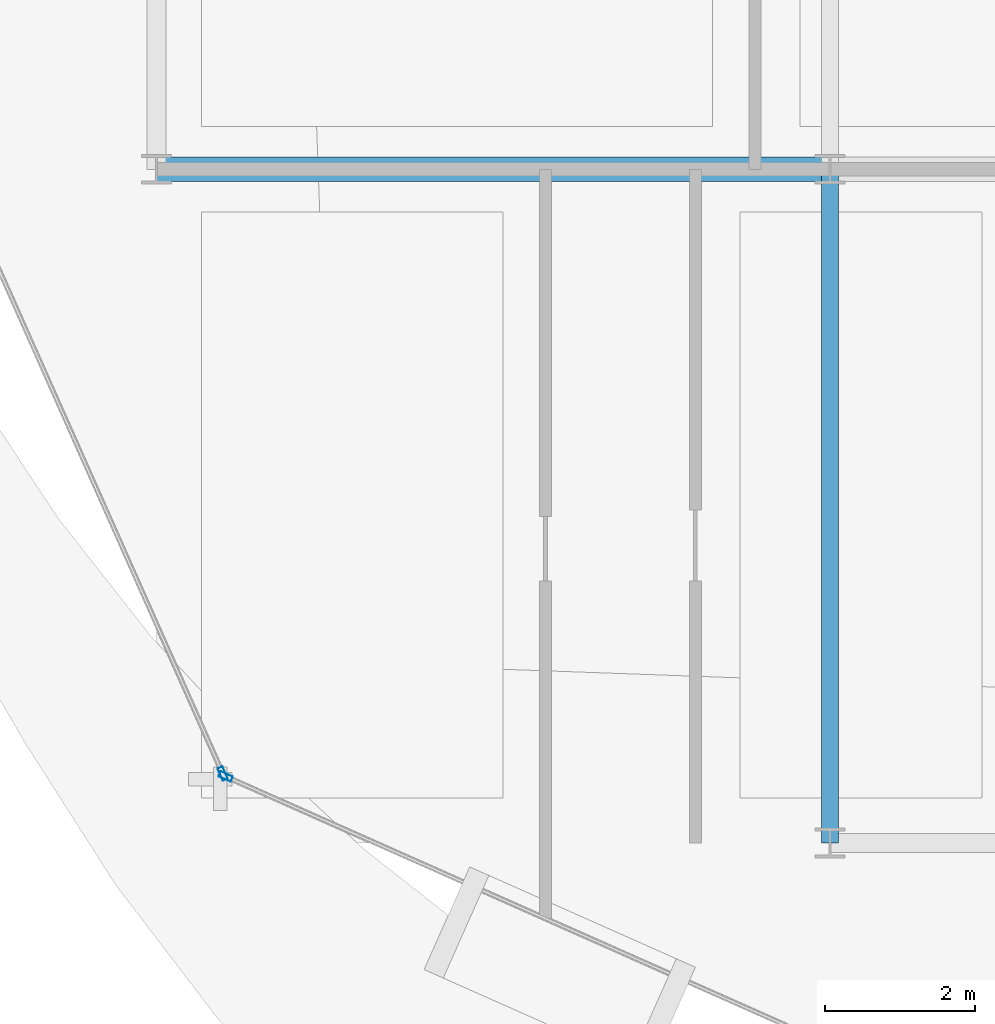
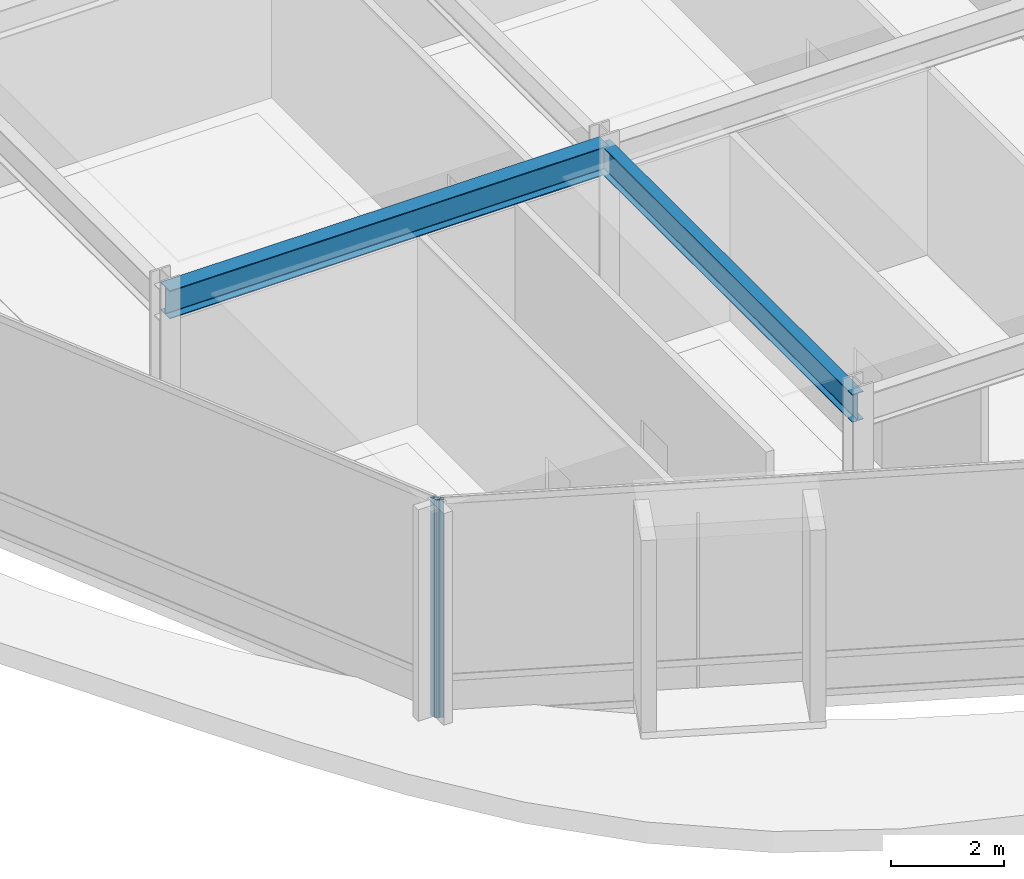
# One storey, part 2 of 28: 2 beams, 2 members, 2 elements without a shape of their own.
"""IFC4 building model written with IfcOpenShell, lengths in metres."""

from ifc_helpers import new_model, si_unit, direction, frame, origin, origin_2d, place, context, subcontext, project, spatial, hollow_rectangle, i_section, extrude, material, layer, layer_set, material_profile, profile_set, type_object, element, aggregate, save


model = new_model("IFC4")

# Units and contexts
model_context = context("Model", 3, precision=1e-05, world=origin(), true_north=direction((0.0, 1.0)))
body_context = subcontext(model_context, "Body", "Model", "MODEL_VIEW")
ifc_project = project(units=[si_unit("LENGTHUNIT", "METRE"), si_unit("AREAUNIT", "SQUARE_METRE"), si_unit("VOLUMEUNIT", "CUBIC_METRE"), si_unit("PLANEANGLEUNIT", "RADIAN"), si_unit("MASSUNIT", "GRAM", prefix="KILO")], contexts=[model_context])

# Site, building, storey
site_placement = place(None, origin())
site = spatial("IfcSite", under=ifc_project, at=site_placement, CompositionType="ELEMENT")
building_placement = place(site_placement, origin())
building = spatial("IfcBuilding", under=site, at=building_placement, Name="Solvaryn Broadcast Tower", CompositionType="ELEMENT")
storey_placement = place(building_placement, frame((0.0, 0.0, 201.199951171875)))
storey = spatial("IfcBuildingStorey", under=building, at=storey_placement, Name="L50", CompositionType="ELEMENT", Elevation=201.199951171875)

# Beams
ifc_material_1 = material(Name="Steel ASTM A992 Grade 50", Category="steel")
ifc_material_profile_1 = material_profile(ifc_material_1, i_section(OverallWidth=0.323974609375, OverallDepth=0.611083984375, WebThickness=0.0126953125, FlangeThickness=0.01904296875, FilletRadius=0.014892578125, at=origin_2d()))
ifc_profile_set_1 = profile_set([ifc_material_profile_1], Name="Steel ASTM A992 Grade 50")
beam_type_1 = type_object("IfcBeamType", Name="BM-B1-W24X104", PredefinedType="BEAM", material=ifc_profile_set_1)
beam_1_placement = place(storey_placement, frame((9.0, 18.0, 4.41455078125), z_axis=(1.0, 0.0, 0.0), x_axis=(0.0, 1.0, 0.0)))
element("IfcBeam", 1, at=beam_1_placement, inside=storey, type_object=beam_type_1, Name="L50 Primary Beam X (9-18 @ Y=18)", PredefinedType="BEAM", context=body_context, shape_type="SweptSolid", body=[
    extrude(i_section(OverallWidth=0.323974609375, OverallDepth=0.611083984375, WebThickness=0.0126953125, FlangeThickness=0.01904296875, FilletRadius=0.014892578125, at=origin_2d()), origin(), (0.0, 0.0, 1.0), 9.0),
])
ifc_material_2 = material(Name="Steel ASTM A992 Grade 50", Category="steel")
ifc_material_profile_2 = material_profile(ifc_material_2, i_section(OverallWidth=0.22802734375, OverallDepth=0.60791015625, WebThickness=0.01123046875, FlangeThickness=0.017333984375, FilletRadius=0.014892578125, at=origin_2d()))
ifc_profile_set_2 = profile_set([ifc_material_profile_2], Name="Steel ASTM A992 Grade 50")
beam_type_2 = type_object("IfcBeamType", Name="BM-B2-W24X76", PredefinedType="BEAM", material=ifc_profile_set_2)
beam_2_placement = place(storey_placement, frame((18.0, 9.0, 4.416015625), z_axis=(0.0, 1.0, 0.0), x_axis=(-1.0, 0.0, 0.0)))
element("IfcBeam", 2, at=beam_2_placement, inside=storey, type_object=beam_type_2, Name="L50 Primary Beam Y (9-18 @ X=18)", PredefinedType="BEAM", context=body_context, shape_type="SweptSolid", body=[
    extrude(i_section(OverallWidth=0.22802734375, OverallDepth=0.60791015625, WebThickness=0.01123046875, FlangeThickness=0.017333984375, FilletRadius=0.014892578125, at=origin_2d()), origin(), (0.0, 0.0, 1.0), 9.0),
])

# Curtain wall, member
ifc_material_3 = material(Name="Aluminium and Terracotta Unitised Curtain Wall", Category="masonry")
ifc_layer = layer(ifc_material_3, 0.199951171875)
ifc_layer_set = layer_set([ifc_layer], Name="CW-SYS2-LOWMID")
curtain_wall_type = type_object("IfcCurtainWallType", Name="CW-SYS2-LOWMID", PredefinedType="NOTDEFINED", material=ifc_layer_set)
curtain_wall_1_placement = place(storey_placement, origin())
curtain_wall_1 = element("IfcCurtainWall", 3, at=curtain_wall_1_placement, inside=storey, type_object=curtain_wall_type, Name="L50 Curtain Wall DR2", PredefinedType="NOTDEFINED")
ifc_material_4 = material(Name="Anodised Aluminium 6063-T6", Category="aluminium")
ifc_material_profile_3 = material_profile(ifc_material_4, hollow_rectangle(XDim=0.074951171875, YDim=0.179931640625, WallThickness=0.00390625, InnerFilletRadius=0.00390625, OuterFilletRadius=0.008056640625, at=origin_2d()))
ifc_profile_set_3 = profile_set([ifc_material_profile_3], Name="Anodised Aluminium 6063-T6")
member_type = type_object("IfcMemberType", Name="CW-MUL-180", PredefinedType="MULLION", material=ifc_profile_set_3)
member_1_placement = place(storey_placement, frame((9.8857421875, 9.925537109375, 0.0), z_axis=(0.0, 0.0, 1.0), x_axis=(0.913916902365, 0.405901337237, 0.0)))
member_1 = element("IfcMember", 4, at=member_1_placement, type_object=member_type, Name="CWS2 mullion 2", PredefinedType="MULLION", context=body_context, shape_type="SweptSolid", body=[
    extrude(hollow_rectangle(XDim=0.074951171875, YDim=0.179931640625, WallThickness=0.00390625, InnerFilletRadius=0.00390625, OuterFilletRadius=0.008056640625, at=origin_2d()), origin(), (0.0, 0.0, 1.0), 4.719970703125),
])
aggregate(curtain_wall_1, [member_1])

curtain_wall_2_placement = place(storey_placement, origin())
curtain_wall_2 = element("IfcCurtainWall", 5, at=curtain_wall_2_placement, inside=storey, type_object=curtain_wall_type, Name="L50 Curtain Wall DR3", PredefinedType="NOTDEFINED")
member_2_placement = place(storey_placement, frame((9.925537109375, 9.8857421875, 0.0), z_axis=(0.0, 0.0, 1.0), x_axis=(0.405901337237, 0.913916902365, 0.0)))
member_2 = element("IfcMember", 6, at=member_2_placement, type_object=member_type, Name="CWS2 mullion 1", PredefinedType="MULLION", context=body_context, shape_type="SweptSolid", body=[
    extrude(hollow_rectangle(XDim=0.074951171875, YDim=0.179931640625, WallThickness=0.00390625, InnerFilletRadius=0.00390625, OuterFilletRadius=0.008056640625, at=origin_2d()), origin(), (0.0, 0.0, 1.0), 4.719970703125),
])
aggregate(curtain_wall_2, [member_2])

save(model, "model.ifc")
